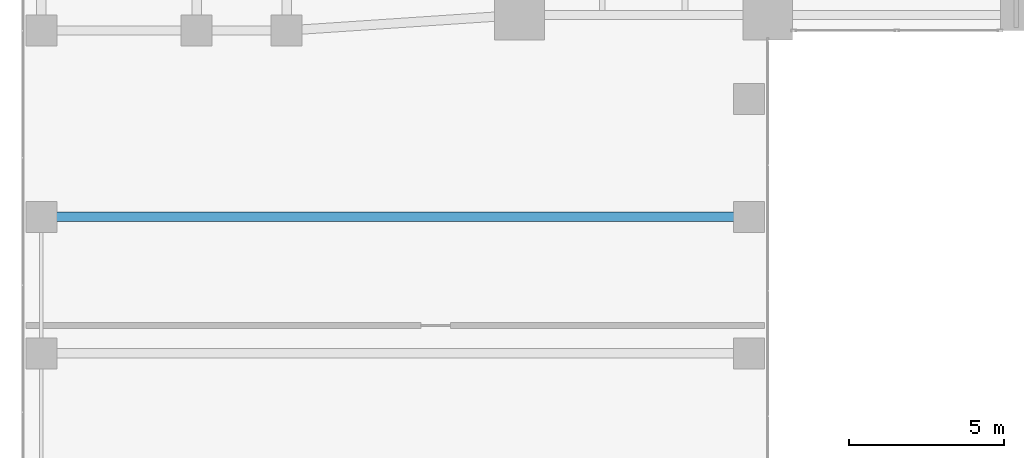
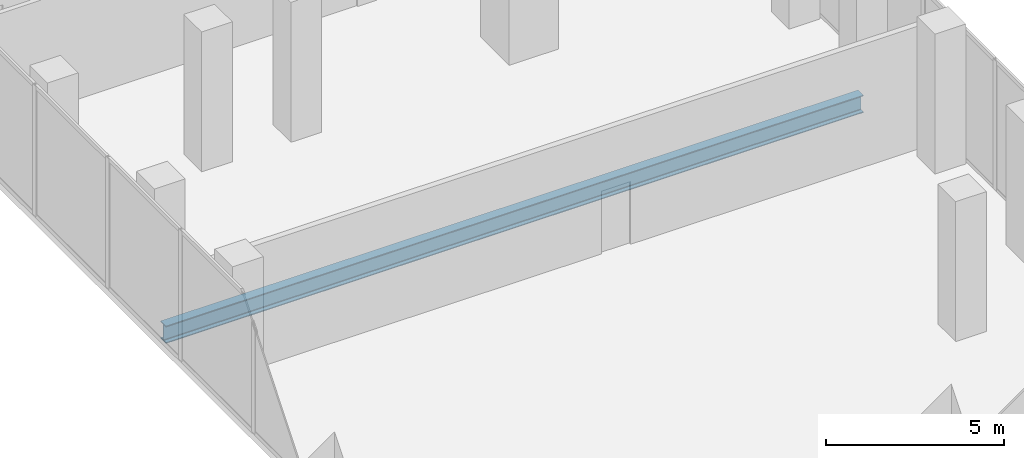
# One storey, part 7 of 24: 1 beam.
"""IFC4 building model written with IfcOpenShell, lengths in metres."""

from ifc_helpers import new_model, si_unit, direction, frame, origin, origin_2d, place, context, subcontext, project, spatial, i_section, extrude, material, material_profile, profile_set, type_object, element, save


model = new_model("IFC4")

# Units and contexts
model_context = context("Model", 3, precision=1e-05, world=origin(), true_north=direction((0.0, 1.0)))
body_context = subcontext(model_context, "Body", "Model", "MODEL_VIEW")
ifc_project = project(units=[si_unit("LENGTHUNIT", "METRE"), si_unit("AREAUNIT", "SQUARE_METRE"), si_unit("VOLUMEUNIT", "CUBIC_METRE"), si_unit("PLANEANGLEUNIT", "RADIAN"), si_unit("MASSUNIT", "GRAM", prefix="KILO")], contexts=[model_context])

# Site, building, storey
site_placement = place(None, origin())
site = spatial("IfcSite", under=ifc_project, at=site_placement, CompositionType="ELEMENT")
building_placement = place(site_placement, origin())
building = spatial("IfcBuilding", under=site, at=building_placement, Name="Catumbela Crestline Tower", CompositionType="ELEMENT")
storey_placement = place(building_placement, frame((0.0, 0.0, 11.1)))
storey = spatial("IfcBuildingStorey", under=building, at=storey_placement, Name="L02", CompositionType="ELEMENT", Elevation=11.1)

# Beam
ifc_material = material(Name="Structural steel S355J2", Category="steel")
ifc_material_profile = material_profile(ifc_material, i_section(OverallWidth=0.3, OverallDepth=0.6, WebThickness=0.0155, FlangeThickness=0.03, FilletRadius=0.027, at=origin_2d()), Name="HEB 600")
ifc_profile_set = profile_set([ifc_material_profile], Name="Structural steel S355J2")
beam_type = type_object("IfcBeamType", Name="BG-HEB600", PredefinedType="BEAM", material=ifc_profile_set)
beam_placement = place(storey_placement, frame((0.68, 18.0, -0.62), z_axis=(1.0, 0.0, 0.0), x_axis=(0.0, 1.0, 0.0)))
element("IfcBeam", 1, at=beam_placement, inside=storey, type_object=beam_type, Name="L02 Beam BM-L02-BLR45", PredefinedType="BEAM", context=body_context, shape_type="SweptSolid", body=[
    extrude(i_section(OverallWidth=0.3, OverallDepth=0.6, WebThickness=0.0155, FlangeThickness=0.03, FilletRadius=0.027, at=origin_2d()), origin(), (0.0, 0.0, 1.0), 22.64),
])

save(model, "model.ifc")
